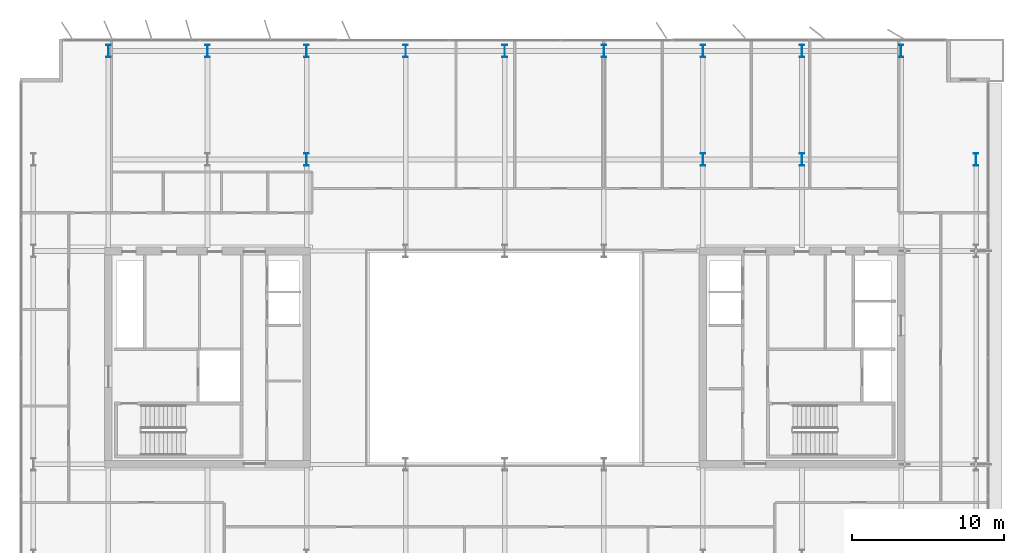
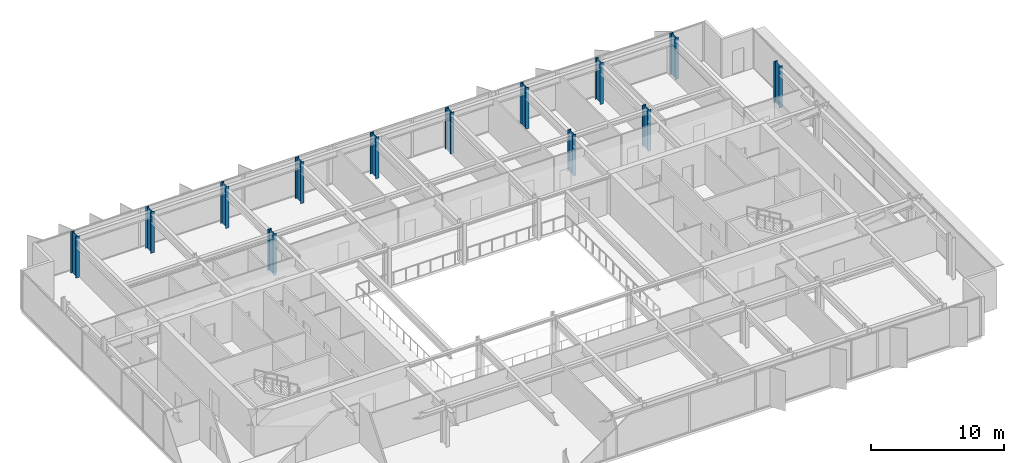
# One storey, part 2 of 19: 13 columns.
"""IFC4 building model written with IfcOpenShell, lengths in metres."""

from ifc_helpers import new_model, si_unit, direction, frame, origin, origin_2d, place, context, subcontext, project, spatial, i_section, extrude, material, material_profile, profile_set, type_object, element, save


model = new_model("IFC4")

# Units and contexts
model_context = context("Model", 3, precision=1e-05, world=origin(), true_north=direction((0.0, 1.0)))
body_context = subcontext(model_context, "Body", "Model", "MODEL_VIEW")
ifc_project = project(units=[si_unit("LENGTHUNIT", "METRE"), si_unit("AREAUNIT", "SQUARE_METRE"), si_unit("VOLUMEUNIT", "CUBIC_METRE"), si_unit("PLANEANGLEUNIT", "RADIAN"), si_unit("MASSUNIT", "GRAM", prefix="KILO")], contexts=[model_context])

# Site, building, storey
site_placement = place(None, origin())
site = spatial("IfcSite", under=ifc_project, at=site_placement, CompositionType="ELEMENT")
building_placement = place(site_placement, origin())
building = spatial("IfcBuilding", under=site, at=building_placement, Name="Putna Gate Headquarters", CompositionType="ELEMENT")
storey_placement = place(building_placement, frame((0.0, 0.0, 255.60009765625)))
storey = spatial("IfcBuildingStorey", under=building, at=storey_placement, Name="L64", CompositionType="ELEMENT", Elevation=255.60009765625)

# Columns
ifc_material = material(Name="Steel S460M", Category="steel")
ifc_material_profile_1 = material_profile(ifc_material, i_section(OverallWidth=0.302978515625, OverallDepth=0.81396484375, WebThickness=0.02099609375, FlangeThickness=0.0400390625, at=origin_2d()), Name="Steel S460M")
ifc_profile_set_1 = profile_set([ifc_material_profile_1], Name="Steel S460M")
column_type_1 = type_object("IfcColumnType", Name="COL-STL-HEM800-EXT", PredefinedType="COLUMN", material=ifc_profile_set_1)
for number, where, z_axis, x_axis, name in (
    (1, (13.0, 46.1201171875, 0.0), (0.0, 0.0, 1.0), (1.0, 0.0, 0.0), "L64 Column CP-N13"),
    (2, (19.5, 46.1201171875, 0.0), (0.0, 0.0, 1.0), (1.0, 0.0, 0.0), "L64 Column CP-N19"),
    (3, (26.0, 46.1201171875, 0.0), (0.0, 0.0, 1.0), (1.0, 0.0, 0.0), "L64 Column CP-N26"),
    (4, (32.5, 46.1201171875, 0.0), (0.0, 0.0, 1.0), (1.0, 0.0, 0.0), "L64 Column CP-N32"),
    (5, (39.0, 46.1201171875, 0.0), (0.0, 0.0, 1.0), (1.0, 0.0, 0.0), "L64 Column CP-N39"),
    (6, (45.5, 46.1201171875, 0.0), (0.0, 0.0, 1.0), (1.0, 0.0, 0.0), "L64 Column CP-N45"),
    (7, (52.0, 46.1201171875, 0.0), (0.0, 0.0, 1.0), (1.0, 0.0, 0.0), "L64 Column CP-N52"),
    (8, (58.5, 46.1201171875, 0.0), (0.0, 0.0, 1.0), (1.0, 0.0, 0.0), "L64 Column CP-N58"),
    (9, (65.0, 46.1201171875, 0.0), (0.0, 0.0, 1.0), (1.0, 0.0, 0.0), "L64 Column CP-N65"),
    (10, (69.919921875, 39.0, 0.0), (0.0, 0.0, 1.0), (1.0, 0.0, 0.0), "L64 Column CP-E39"),
):
    element("IfcColumn", number, at=place(storey_placement, frame(where, z_axis=z_axis, x_axis=x_axis)), inside=storey, type_object=column_type_1, Name=name, PredefinedType="COLUMN", context=body_context, shape_type="SweptSolid", body=[
        extrude(i_section(OverallWidth=0.302978515625, OverallDepth=0.81396484375, WebThickness=0.02099609375, FlangeThickness=0.0400390625, at=origin_2d()), origin(), (0.0, 0.0, 1.0), 3.7998046875),
    ])
ifc_material_profile_2 = material_profile(ifc_material, i_section(OverallWidth=0.302978515625, OverallDepth=0.81396484375, WebThickness=0.02099609375, FlangeThickness=0.0400390625, at=origin_2d()), Name="Steel S460M")
ifc_profile_set_2 = profile_set([ifc_material_profile_2], Name="Steel S460M")
column_type_2 = type_object("IfcColumnType", Name="COL-STL-HEM800-INT", PredefinedType="COLUMN", material=ifc_profile_set_2)
for number, where, z_axis, x_axis, name in (
    (11, (58.5, 39.0, 0.0), (0.0, 0.0, 1.0), (1.0, 0.0, 0.0), "L64 Column CSI-EN"),
    (12, (26.0, 39.0, 0.0), (0.0, 0.0, 1.0), (1.0, 0.0, 0.0), "L64 Column CAP-WN"),
    (13, (52.0, 39.0, 0.0), (0.0, 0.0, 1.0), (1.0, 0.0, 0.0), "L64 Column CAP-EN"),
):
    element("IfcColumn", number, at=place(storey_placement, frame(where, z_axis=z_axis, x_axis=x_axis)), inside=storey, type_object=column_type_2, Name=name, PredefinedType="COLUMN", context=body_context, shape_type="SweptSolid", body=[
        extrude(i_section(OverallWidth=0.302978515625, OverallDepth=0.81396484375, WebThickness=0.02099609375, FlangeThickness=0.0400390625, at=origin_2d()), origin(), (0.0, 0.0, 1.0), 3.7998046875),
    ])

save(model, "model.ifc")
